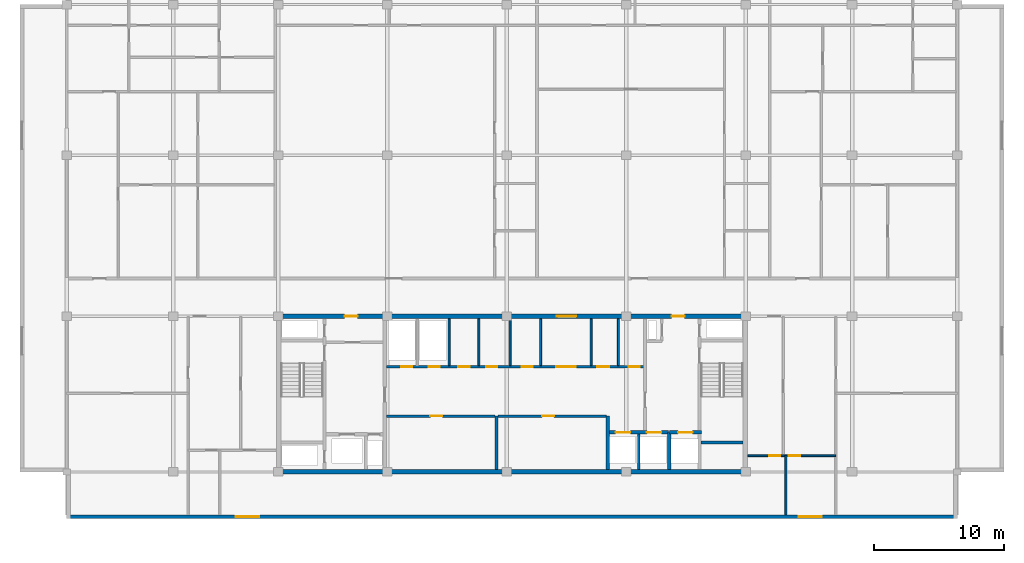
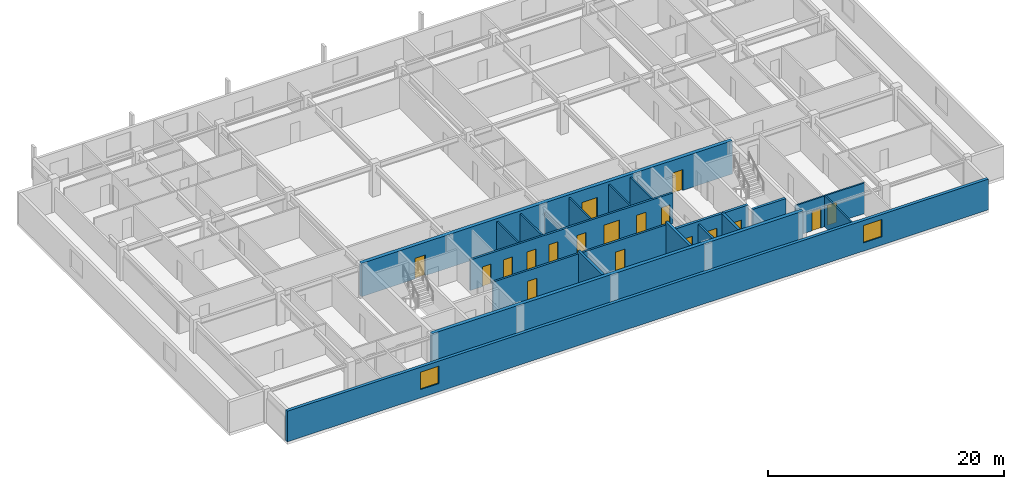
# One storey, part 4 of 10: 21 walls, 18 doors, 2 windows, 20 openings.
"""IFC4 building model written with IfcOpenShell, lengths in metres."""

from ifc_helpers import new_model, si_unit, direction, frame, frame_2d, origin, place, context, subcontext, project, spatial, rectangle, extrude, material, layer, layer_set, type_object, element, fill, save


model = new_model("IFC4")

# Units and contexts
model_context = context("Model", 3, precision=1e-05, world=origin(), true_north=direction((0.0, 1.0)))
body_context = subcontext(model_context, "Body", "Model", "MODEL_VIEW")
ifc_project = project(units=[si_unit("LENGTHUNIT", "METRE"), si_unit("AREAUNIT", "SQUARE_METRE"), si_unit("VOLUMEUNIT", "CUBIC_METRE"), si_unit("PLANEANGLEUNIT", "RADIAN"), si_unit("MASSUNIT", "GRAM", prefix="KILO")], contexts=[model_context])

# Site, building, storey
site_placement = place(None, origin())
site = spatial("IfcSite", under=ifc_project, at=site_placement, CompositionType="ELEMENT")
building_placement = place(site_placement, origin())
building = spatial("IfcBuilding", under=site, at=building_placement, Name="Korimba Cascade Residences", CompositionType="ELEMENT")
storey_placement = place(building_placement, frame((0.0, 0.0, 242.449951171875)))
storey = spatial("IfcBuildingStorey", under=building, at=storey_placement, Name="L70", CompositionType="ELEMENT", Elevation=242.449951171875)

# Wall, openings, windows
ifc_material_1 = material(Name="Precast concrete C40/50", Category="concrete")
ifc_layer_1 = layer(ifc_material_1, 0.300048828125)
ifc_layer_set_1 = layer_set([ifc_layer_1], Name="Precast concrete C40/50")
wall_type_1 = type_object("IfcWallType", Name="EW-STONE-300", PredefinedType="STANDARD", material=ifc_layer_set_1)
wall_1_placement = place(storey_placement, frame((59.800048828125, 51.75, 0.0), z_axis=(0.0, 0.0, 1.0), x_axis=(1.0, 0.0, 0.0)))
wall_1 = element("IfcWall", 1, at=wall_1_placement, inside=storey, type_object=wall_type_1, Name="L70 T1 Perimeter Stone Wall E00", PredefinedType="STANDARD", context=body_context, shape_type="SweptSolid", body=[
    extrude(rectangle(XDim=68.599853515625, YDim=0.300048828125, at=frame_2d((34.2998046875, 0.0))), origin(), (0.0, 0.0, 1.0), 3.170166015625),
])
opening_1_placement = place(wall_1_placement, frame((13.02490234375, 0.0, 0.85009765625)))
opening_1 = element("IfcOpeningElement", 2, at=opening_1_placement, cuts=wall_1, Name="Opening W-02", PredefinedType="OPENING", context=body_context, shape_type="SweptSolid", body=[
    extrude(rectangle(XDim=1.800048828125, YDim=1.800048828125, at=frame_2d((0.89990234375, 0.89990234375))), frame((0.0, 0.16015625, 0.0), z_axis=(0.0, -1.0, 0.0), x_axis=(1.0, 0.0, 0.0)), (0.0, 0.0, 1.0), 0.320068359375),
])
opening_2_placement = place(wall_1_placement, frame((56.375, 0.0, 0.85009765625)))
opening_2 = element("IfcOpeningElement", 3, at=opening_2_placement, cuts=wall_1, Name="Opening W-02", PredefinedType="OPENING", context=body_context, shape_type="SweptSolid", body=[
    extrude(rectangle(XDim=1.800048828125, YDim=1.800048828125, at=frame_2d((0.89990234375, 0.89990234375))), frame((0.0, 0.16015625, 0.0), z_axis=(0.0, -1.0, 0.0), x_axis=(1.0, 0.0, 0.0)), (0.0, 0.0, 1.0), 0.320068359375),
])
ifc_material_2 = material(Name="Double-Glazed Aluminium Window", Category="aluminium")
window_type = type_object("IfcWindowType", Name="WIN-BED-1800", PartitioningType="SINGLE_PANEL", PredefinedType="WINDOW", material=ifc_material_2)
window_1_placement = place(opening_1_placement, origin())
window_1 = element("IfcWindow", 4, at=window_1_placement, inside=storey, type_object=window_type, Name="L70 T1 South Corner Bedroom Window 1", OverallHeight=1.800048828125, OverallWidth=1.800048828125, PartitioningType="SINGLE_PANEL", PredefinedType="WINDOW", context=body_context, shape_type="SweptSolid", body=[
    extrude(rectangle(XDim=1.800048828125, YDim=1.800048828125, at=frame_2d((0.89990234375, 0.89990234375))), frame((0.0, 0.030029296875, 0.0), z_axis=(0.0, -1.0, 0.0), x_axis=(1.0, 0.0, 0.0)), (0.0, 0.0, 1.0), 0.06005859375),
])
fill(opening_1, window_1)
window_2_placement = place(opening_2_placement, origin())
window_2 = element("IfcWindow", 5, at=window_2_placement, inside=storey, type_object=window_type, Name="L70 T1 South Corner Bedroom Window 2", OverallHeight=1.800048828125, OverallWidth=1.800048828125, PartitioningType="SINGLE_PANEL", PredefinedType="WINDOW", context=body_context, shape_type="SweptSolid", body=[
    extrude(rectangle(XDim=1.800048828125, YDim=1.800048828125, at=frame_2d((0.89990234375, 0.89990234375))), frame((0.0, 0.030029296875, 0.0), z_axis=(0.0, -1.0, 0.0), x_axis=(1.0, 0.0, 0.0)), (0.0, 0.0, 1.0), 0.06005859375),
])
fill(opening_2, window_2)

# Wall
ifc_material_3 = material(Name="Concrete C65/80", Category="concrete")
ifc_layer_2 = layer(ifc_material_3, 0.35009765625)
ifc_layer_set_2 = layer_set([ifc_layer_2], Name="Concrete C65/80")
wall_type_2 = type_object("IfcWallType", Name="WAL-CORE-350", PredefinedType="SHEAR", material=ifc_layer_set_2)
wall_2_placement = place(storey_placement, frame((75.949951171875, 55.199951171875, 0.0), z_axis=(0.0, 0.0, 1.0), x_axis=(1.0, 0.0, 0.0)))
element("IfcWall", 6, at=wall_2_placement, inside=storey, type_object=wall_type_2, Name="L70 Core Shear Wall CW-L70-T1-S", PredefinedType="SHEAR", context=body_context, shape_type="SweptSolid", body=[
    extrude(rectangle(XDim=36.300048828125, YDim=0.35009765625, at=frame_2d((18.14990234375, 0.0))), origin(), (0.0, 0.0, 1.0), 3.449951171875),
])

# Wall, openings, doors
wall_3_placement = place(storey_placement, frame((75.949951171875, 67.199951171875, 0.0), z_axis=(0.0, 0.0, 1.0), x_axis=(1.0, 0.0, 0.0)))
wall_3 = element("IfcWall", 7, at=wall_3_placement, inside=storey, type_object=wall_type_2, Name="L70 Core Shear Wall CW-L70-T1-N", PredefinedType="SHEAR", context=body_context, shape_type="SweptSolid", body=[
    extrude(rectangle(XDim=36.300048828125, YDim=0.35009765625, at=frame_2d((18.14990234375, 0.0))), origin(), (0.0, 0.0, 1.0), 3.449951171875),
])
opening_3_placement = place(wall_3_placement, frame((5.25, 0.0, 0.0)))
opening_3 = element("IfcOpeningElement", 8, at=opening_3_placement, cuts=wall_3, Name="Opening D-FD5", PredefinedType="OPENING", context=body_context, shape_type="SweptSolid", body=[
    extrude(rectangle(XDim=1.0, YDim=2.14990234375, at=frame_2d((0.5, 1.074951171875))), frame((0.0, 0.18505859375, 0.0), z_axis=(0.0, -1.0, 0.0), x_axis=(1.0, 0.0, 0.0)), (0.0, 0.0, 1.0), 0.3701171875),
])
opening_4_placement = place(wall_3_placement, frame((21.60009765625, 0.0, 0.0)))
opening_4 = element("IfcOpeningElement", 9, at=opening_4_placement, cuts=wall_3, Name="Opening D-FD8", PredefinedType="OPENING", context=body_context, shape_type="SweptSolid", body=[
    extrude(rectangle(XDim=1.5, YDim=2.199951171875, at=frame_2d((0.75, 1.10009765625))), frame((0.0, 0.18505859375, 0.0), z_axis=(0.0, -1.0, 0.0), x_axis=(1.0, 0.0, 0.0)), (0.0, 0.0, 1.0), 0.3701171875),
])
opening_5_placement = place(wall_3_placement, frame((30.449951171875, 0.0, 0.0)))
opening_5 = element("IfcOpeningElement", 10, at=opening_5_placement, cuts=wall_3, Name="Opening D-FD5", PredefinedType="OPENING", context=body_context, shape_type="SweptSolid", body=[
    extrude(rectangle(XDim=1.0, YDim=2.14990234375, at=frame_2d((0.5, 1.074951171875))), frame((0.0, 0.18505859375, 0.0), z_axis=(0.0, -1.0, 0.0), x_axis=(1.0, 0.0, 0.0)), (0.0, 0.0, 1.0), 0.3701171875),
])
ifc_material_4 = material(Name="Fire-Rated Acoustic Timber Vestibule Door", Category="wood")
door_type_1 = type_object("IfcDoorType", Name="DR-FD90-1000", OperationType="NOTDEFINED", PredefinedType="DOOR", material=ifc_material_4)
door_1_placement = place(opening_3_placement, origin())
door_1 = element("IfcDoor", 11, at=door_1_placement, inside=storey, type_object=door_type_1, Name="L70 T1 West Core Vestibule Fire Door", OperationType="SINGLE_SWING_LEFT", OverallHeight=2.14990234375, OverallWidth=1.0, PredefinedType="DOOR", context=body_context, shape_type="SweptSolid", body=[
    extrude(rectangle(XDim=1.0, YDim=2.14990234375, at=frame_2d((0.5, 1.074951171875))), frame((0.0, 0.02490234375, 0.0), z_axis=(0.0, -1.0, 0.0), x_axis=(1.0, 0.0, 0.0)), (0.0, 0.0, 1.0), 0.050048828125),
])
fill(opening_3, door_1)
door_2_placement = place(opening_5_placement, origin())
door_2 = element("IfcDoor", 12, at=door_2_placement, inside=storey, type_object=door_type_1, Name="L70 T1 East Firefighting Vestibule Fire Door", OperationType="SINGLE_SWING_RIGHT", OverallHeight=2.14990234375, OverallWidth=1.0, PredefinedType="DOOR", context=body_context, shape_type="SweptSolid", body=[
    extrude(rectangle(XDim=1.0, YDim=2.14990234375, at=frame_2d((0.5, 1.074951171875))), frame((0.0, 0.02490234375, 0.0), z_axis=(0.0, -1.0, 0.0), x_axis=(1.0, 0.0, 0.0)), (0.0, 0.0, 1.0), 0.050048828125),
])
fill(opening_5, door_2)
ifc_material_5 = material(Name="Fire-Rated Glazed Lift Lobby Double Door", Category="glass")
door_type_2 = type_object("IfcDoorType", Name="DR-FD90-1500", OperationType="NOTDEFINED", PredefinedType="DOOR", material=ifc_material_5)
door_3_placement = place(opening_4_placement, origin())
door_3 = element("IfcDoor", 13, at=door_3_placement, inside=storey, type_object=door_type_2, Name="L70 T1 Lift Lobby Fire Door", OperationType="DOUBLE_DOOR_SINGLE_SWING", OverallHeight=2.199951171875, OverallWidth=1.5, PredefinedType="DOOR", context=body_context, shape_type="SweptSolid", body=[
    extrude(rectangle(XDim=1.5, YDim=2.199951171875, at=frame_2d((0.75, 1.10009765625))), frame((0.0, 0.02490234375, 0.0), z_axis=(0.0, -1.0, 0.0), x_axis=(1.0, 0.0, 0.0)), (0.0, 0.0, 1.0), 0.050048828125),
])
fill(opening_4, door_3)

# Walls
ifc_material_6 = material(Name="Insulated Acoustic Stud Partition", Category="gypsum")
ifc_layer_3 = layer(ifc_material_6, 0.14990234375)
ifc_layer_set_3 = layer_set([ifc_layer_3], Name="Insulated Acoustic Stud Partition")
wall_type_3 = type_object("IfcWallType", Name="WAL-PART-150", PredefinedType="PARTITIONING", material=ifc_layer_set_3)
for number, where, z_axis, x_axis, name in (
    (14, (89.25, 63.39990234375, 0.0), (0.0, 0.0, 1.0), (0.0, 1.0, 0.0), "L70 Partition Wall CW-L70-T1-PRDIV"),
    (15, (91.550048828125, 63.39990234375, 0.0), (0.0, 0.0, 1.0), (0.0, 1.0, 0.0), "L70 Partition Wall CW-L70-T1-CA1W1"),
):
    element("IfcWall", number, at=place(storey_placement, frame(where, z_axis=z_axis, x_axis=x_axis)), inside=storey, type_object=wall_type_3, Name=name, PredefinedType="PARTITIONING", context=body_context, shape_type="SweptSolid", body=[
        extrude(rectangle(XDim=3.60009765625, YDim=0.14990234375, at=frame_2d((1.800048828125, 0.0))), origin(), (0.0, 0.0, 1.0), 3.170166015625),
    ])
wall_4_placement = place(storey_placement, frame((93.949951171875, 63.39990234375, 0.0), z_axis=(0.0, 0.0, 1.0), x_axis=(0.0, 1.0, 0.0)))
element("IfcWall", 16, at=wall_4_placement, inside=storey, type_object=wall_type_3, Name="L70 Partition Wall CW-L70-T1-CA1W2", PredefinedType="PARTITIONING", context=body_context, shape_type="SweptSolid", body=[
    extrude(rectangle(XDim=3.60009765625, YDim=0.14990234375, at=frame_2d((1.800048828125, 0.0))), origin(), (0.0, 0.0, 1.0), 2.47705078125),
])
for number, where, z_axis, x_axis, name in (
    (17, (102.300048828125, 63.39990234375, 0.0), (0.0, 0.0, 1.0), (0.0, 1.0, 0.0), "L70 Partition Wall CW-L70-T1-CA1E1"),
    (18, (96.300048828125, 63.39990234375, 0.0), (0.0, 0.0, 1.0), (0.0, 1.0, 0.0), "L70 Partition Wall CW-L70-T1-THW"),
    (19, (100.199951171875, 63.39990234375, 0.0), (0.0, 0.0, 1.0), (0.0, 1.0, 0.0), "L70 Partition Wall CW-L70-T1-THE"),
):
    element("IfcWall", number, at=place(storey_placement, frame(where, z_axis=z_axis, x_axis=x_axis)), inside=storey, type_object=wall_type_3, Name=name, PredefinedType="PARTITIONING", context=body_context, shape_type="SweptSolid", body=[
        extrude(rectangle(XDim=3.60009765625, YDim=0.14990234375, at=frame_2d((1.800048828125, 0.0))), origin(), (0.0, 0.0, 1.0), 3.170166015625),
    ])
wall_5_placement = place(storey_placement, frame((115.199951171875, 51.89990234375, 0.0), z_axis=(0.0, 0.0, 1.0), x_axis=(0.0, 1.0, 0.0)))
element("IfcWall", 20, at=wall_5_placement, inside=storey, type_object=wall_type_3, Name="L70 Partition Wall WAL-L70-T1-FE-VS", PredefinedType="PARTITIONING", context=body_context, shape_type="SweptSolid", body=[
    extrude(rectangle(XDim=4.550048828125, YDim=0.14990234375, at=frame_2d((2.27490234375, 0.0))), origin(), (0.0, 0.0, 1.0), 3.170166015625),
])

# Wall, openings, doors
wall_6_placement = place(storey_placement, frame((112.27001953125, 56.449951171875, 0.0), z_axis=(0.0, 0.0, 1.0), x_axis=(1.0, 0.0, 0.0)))
wall_6 = element("IfcWall", 21, at=wall_6_placement, inside=storey, type_object=wall_type_3, Name="L70 Partition Wall WAL-L70-T1-FE-H", PredefinedType="PARTITIONING", context=body_context, shape_type="SweptSolid", body=[
    extrude(rectangle(XDim=6.760009765625, YDim=0.14990234375, at=frame_2d((3.3798828125, 0.0))), origin(), (0.0, 0.0, 1.0), 3.170166015625),
])
opening_6_placement = place(wall_6_placement, frame((1.6396484375, 0.0, 0.0)))
opening_6 = element("IfcOpeningElement", 22, at=opening_6_placement, cuts=wall_6, Name="Opening D-BT1", PredefinedType="OPENING", context=body_context, shape_type="SweptSolid", body=[
    extrude(rectangle(XDim=0.840087890625, YDim=2.0400390625, at=frame_2d((0.419921875, 1.02001953125))), frame((0.0, 0.0849609375, 0.0), z_axis=(0.0, -1.0, 0.0), x_axis=(1.0, 0.0, 0.0)), (0.0, 0.0, 1.0), 0.169921875),
])
opening_7_placement = place(wall_6_placement, frame((3.160400390625, 0.0, 0.0)))
opening_7 = element("IfcOpeningElement", 23, at=opening_7_placement, cuts=wall_6, Name="Opening D-IN2", PredefinedType="OPENING", context=body_context, shape_type="SweptSolid", body=[
    extrude(rectangle(XDim=0.8798828125, YDim=2.06005859375, at=frame_2d((0.43994140625, 1.030029296875))), frame((0.0, 0.0849609375, 0.0), z_axis=(0.0, -1.0, 0.0), x_axis=(1.0, 0.0, 0.0)), (0.0, 0.0, 1.0), 0.169921875),
])
ifc_material_7 = material(Name="Moisture-Resistant Bathroom Timber Door", Category="wood")
door_type_3 = type_object("IfcDoorType", Name="DR-INT-850", OperationType="NOTDEFINED", PredefinedType="DOOR", material=ifc_material_7)
door_4_placement = place(opening_6_placement, origin())
door_4 = element("IfcDoor", 24, at=door_4_placement, inside=storey, type_object=door_type_3, Name="L70-T1-FE Bathroom Door", OperationType="SINGLE_SWING_LEFT", OverallHeight=2.0400390625, OverallWidth=0.840087890625, PredefinedType="DOOR", context=body_context, shape_type="SweptSolid", body=[
    extrude(rectangle(XDim=0.840087890625, YDim=2.0400390625, at=frame_2d((0.419921875, 1.02001953125))), frame((0.0, 0.02490234375, 0.0), z_axis=(0.0, -1.0, 0.0), x_axis=(1.0, 0.0, 0.0)), (0.0, 0.0, 1.0), 0.050048828125),
])
fill(opening_6, door_4)
ifc_material_8 = material(Name="Acoustic Timber Bedroom Door", Category="wood")
door_type_4 = type_object("IfcDoorType", Name="DR-INT-880", OperationType="NOTDEFINED", PredefinedType="DOOR", material=ifc_material_8)
door_5_placement = place(opening_7_placement, origin())
door_5 = element("IfcDoor", 25, at=door_5_placement, inside=storey, type_object=door_type_4, Name="L70-T1-FE Bedroom Door", OperationType="SINGLE_SWING_RIGHT", OverallHeight=2.06005859375, OverallWidth=0.8798828125, PredefinedType="DOOR", context=body_context, shape_type="SweptSolid", body=[
    extrude(rectangle(XDim=0.8798828125, YDim=2.06005859375, at=frame_2d((0.43994140625, 1.030029296875))), frame((0.0, 0.02490234375, 0.0), z_axis=(0.0, -1.0, 0.0), x_axis=(1.0, 0.0, 0.0)), (0.0, 0.0, 1.0), 0.050048828125),
])
fill(opening_7, door_5)

# Wall, opening, door
ifc_material_9 = material(Name="Concrete C40/50", Category="concrete")
ifc_layer_4 = layer(ifc_material_9, 0.199951171875)
ifc_layer_set_4 = layer_set([ifc_layer_4], Name="Concrete C40/50")
wall_type_4 = type_object("IfcWallType", Name="WAL-PART-200", PredefinedType="PARTITIONING", material=ifc_layer_set_4)
wall_7_placement = place(storey_placement, frame((84.419921875, 59.5, 0.0), z_axis=(0.0, 0.0, 1.0), x_axis=(1.0, 0.0, 0.0)))
wall_7 = element("IfcWall", 26, at=wall_7_placement, inside=storey, type_object=wall_type_4, Name="L70 Partition Wall CW-L70-T1-B1RN", PredefinedType="PARTITIONING", context=body_context, shape_type="SweptSolid", body=[
    extrude(rectangle(XDim=8.360107421875, YDim=0.199951171875, at=frame_2d((4.18017578125, 0.0))), origin(), (0.0, 0.0, 1.0), 3.170166015625),
])
opening_8_placement = place(wall_7_placement, frame((3.39990234375, 0.0, 0.0)))
opening_8 = element("IfcOpeningElement", 27, at=opening_8_placement, cuts=wall_7, Name="Opening D-ST1", PredefinedType="OPENING", context=body_context, shape_type="SweptSolid", body=[
    extrude(rectangle(XDim=0.919921875, YDim=2.080078125, at=frame_2d((0.4599609375, 1.0400390625))), frame((0.0, 0.10986328125, 0.0), z_axis=(0.0, -1.0, 0.0), x_axis=(1.0, 0.0, 0.0)), (0.0, 0.0, 1.0), 0.219970703125),
])
ifc_material_10 = material(Name="Fire-Rated Core Store Door", Category="wood")
door_type_5 = type_object("IfcDoorType", Name="DR-FD60-920", OperationType="NOTDEFINED", PredefinedType="DOOR", material=ifc_material_10)
door_6_placement = place(opening_8_placement, origin())
door_6 = element("IfcDoor", 28, at=door_6_placement, inside=storey, type_object=door_type_5, Name="L70 Resident Storage Door", OperationType="SINGLE_SWING_LEFT", OverallHeight=2.080078125, OverallWidth=0.919921875, PredefinedType="DOOR", context=body_context, shape_type="SweptSolid", body=[
    extrude(rectangle(XDim=0.919921875, YDim=2.080078125, at=frame_2d((0.4599609375, 1.0400390625))), frame((0.0, 0.02490234375, 0.0), z_axis=(0.0, -1.0, 0.0), x_axis=(1.0, 0.0, 0.0)), (0.0, 0.0, 1.0), 0.050048828125),
])
fill(opening_8, door_6)

wall_8_placement = place(storey_placement, frame((93.02001953125, 59.5, 0.0), z_axis=(0.0, 0.0, 1.0), x_axis=(1.0, 0.0, 0.0)))
wall_8 = element("IfcWall", 29, at=wall_8_placement, inside=storey, type_object=wall_type_4, Name="L70 Partition Wall CW-L70-T1-B2RN", PredefinedType="PARTITIONING", context=body_context, shape_type="SweptSolid", body=[
    extrude(rectangle(XDim=8.35986328125, YDim=0.199951171875, at=frame_2d((4.179931640625, 0.0))), origin(), (0.0, 0.0, 1.0), 3.170166015625),
])
opening_9_placement = place(wall_8_placement, frame((3.39990234375, 0.0, 0.0)))
opening_9 = element("IfcOpeningElement", 30, at=opening_9_placement, cuts=wall_8, Name="Opening D-ST1", PredefinedType="OPENING", context=body_context, shape_type="SweptSolid", body=[
    extrude(rectangle(XDim=0.919921875, YDim=2.080078125, at=frame_2d((0.4599609375, 1.0400390625))), frame((0.0, 0.10986328125, 0.0), z_axis=(0.0, -1.0, 0.0), x_axis=(1.0, 0.0, 0.0)), (0.0, 0.0, 1.0), 0.219970703125),
])
door_7_placement = place(opening_9_placement, origin())
door_7 = element("IfcDoor", 31, at=door_7_placement, inside=storey, type_object=door_type_5, Name="L70 Wine Cellar Store Door", OperationType="SINGLE_SWING_RIGHT", OverallHeight=2.080078125, OverallWidth=0.919921875, PredefinedType="DOOR", context=body_context, shape_type="SweptSolid", body=[
    extrude(rectangle(XDim=0.919921875, YDim=2.080078125, at=frame_2d((0.4599609375, 1.0400390625))), frame((0.0, 0.02490234375, 0.0), z_axis=(0.0, -1.0, 0.0), x_axis=(1.0, 0.0, 0.0)), (0.0, 0.0, 1.0), 0.050048828125),
])
fill(opening_9, door_7)

# Wall
wall_9_placement = place(storey_placement, frame((103.85009765625, 55.39990234375, 0.0), z_axis=(0.0, 0.0, 1.0), x_axis=(0.0, 1.0, 0.0)))
element("IfcWall", 32, at=wall_9_placement, inside=storey, type_object=wall_type_4, Name="L70 Partition Wall CW-L70-T1-B3D1", PredefinedType="PARTITIONING", context=body_context, shape_type="SweptSolid", body=[
    extrude(rectangle(XDim=2.72021484375, YDim=0.199951171875, at=frame_2d((1.360107421875, 0.0))), origin(), (0.0, 0.0, 1.0), 3.170166015625),
])

# Wall, openings, doors
wall_10_placement = place(storey_placement, frame((84.419921875, 63.300048828125, 0.0), z_axis=(0.0, 0.0, 1.0), x_axis=(1.0, 0.0, 0.0)))
wall_10 = element("IfcWall", 33, at=wall_10_placement, inside=storey, type_object=wall_type_4, Name="L70 Partition Wall CW-L70-T1-SRVROW", PredefinedType="PARTITIONING", context=body_context, shape_type="SweptSolid", body=[
    extrude(rectangle(XDim=19.830078125, YDim=0.199951171875, at=frame_2d((9.9150390625, 0.0))), origin(), (0.0, 0.0, 1.0), 3.170166015625),
])
opening_10_placement = place(wall_10_placement, frame((1.14990234375, 0.0, 0.0)))
opening_10 = element("IfcOpeningElement", 34, at=opening_10_placement, cuts=wall_10, Name="Opening D-RS1", PredefinedType="OPENING", context=body_context, shape_type="SweptSolid", body=[
    extrude(rectangle(XDim=0.85009765625, YDim=2.050048828125, at=frame_2d((0.425048828125, 1.02490234375))), frame((0.0, 0.10986328125, 0.0), z_axis=(0.0, -1.0, 0.0), x_axis=(1.0, 0.0, 0.0)), (0.0, 0.0, 1.0), 0.219970703125),
])
opening_11_placement = place(wall_10_placement, frame((3.25, 0.0, 0.0)))
opening_11 = element("IfcOpeningElement", 35, at=opening_11_placement, cuts=wall_10, Name="Opening D-RS1", PredefinedType="OPENING", context=body_context, shape_type="SweptSolid", body=[
    extrude(rectangle(XDim=0.85009765625, YDim=2.050048828125, at=frame_2d((0.425048828125, 1.02490234375))), frame((0.0, 0.10986328125, 0.0), z_axis=(0.0, -1.0, 0.0), x_axis=(1.0, 0.0, 0.0)), (0.0, 0.0, 1.0), 0.219970703125),
])
opening_12_placement = place(wall_10_placement, frame((13.080078125, 0.0, 0.0)))
opening_12 = element("IfcOpeningElement", 36, at=opening_12_placement, cuts=wall_10, Name="Opening D-FD8", PredefinedType="OPENING", context=body_context, shape_type="SweptSolid", body=[
    extrude(rectangle(XDim=1.5, YDim=2.199951171875, at=frame_2d((0.75, 1.10009765625))), frame((0.0, 0.10986328125, 0.0), z_axis=(0.0, -1.0, 0.0), x_axis=(1.0, 0.0, 0.0)), (0.0, 0.0, 1.0), 0.219970703125),
])
opening_13_placement = place(wall_10_placement, frame((5.530029296875, 0.0, 0.0)))
opening_13 = element("IfcOpeningElement", 37, at=opening_13_placement, cuts=wall_10, Name="Opening D-IN2", PredefinedType="OPENING", context=body_context, shape_type="SweptSolid", body=[
    extrude(rectangle(XDim=0.8798828125, YDim=2.06005859375, at=frame_2d((0.43994140625, 1.030029296875))), frame((0.0, 0.10986328125, 0.0), z_axis=(0.0, -1.0, 0.0), x_axis=(1.0, 0.0, 0.0)), (0.0, 0.0, 1.0), 0.219970703125),
])
opening_14_placement = place(wall_10_placement, frame((7.679931640625, 0.0, 0.0)))
opening_14 = element("IfcOpeningElement", 38, at=opening_14_placement, cuts=wall_10, Name="Opening D-IN2", PredefinedType="OPENING", context=body_context, shape_type="SweptSolid", body=[
    extrude(rectangle(XDim=0.8798828125, YDim=2.06005859375, at=frame_2d((0.43994140625, 1.030029296875))), frame((0.0, 0.10986328125, 0.0), z_axis=(0.0, -1.0, 0.0), x_axis=(1.0, 0.0, 0.0)), (0.0, 0.0, 1.0), 0.219970703125),
])
opening_15_placement = place(wall_10_placement, frame((10.429931640625, 0.0, 0.0)))
opening_15 = element("IfcOpeningElement", 39, at=opening_15_placement, cuts=wall_10, Name="Opening D-RS1", PredefinedType="OPENING", context=body_context, shape_type="SweptSolid", body=[
    extrude(rectangle(XDim=0.85009765625, YDim=2.050048828125, at=frame_2d((0.425048828125, 1.02490234375))), frame((0.0, 0.10986328125, 0.0), z_axis=(0.0, -1.0, 0.0), x_axis=(1.0, 0.0, 0.0)), (0.0, 0.0, 1.0), 0.219970703125),
])
opening_16_placement = place(wall_10_placement, frame((16.22998046875, 0.0, 0.0)))
opening_16 = element("IfcOpeningElement", 40, at=opening_16_placement, cuts=wall_10, Name="Opening D-AC1", PredefinedType="OPENING", context=body_context, shape_type="SweptSolid", body=[
    extrude(rectangle(XDim=0.9599609375, YDim=2.10009765625, at=frame_2d((0.47998046875, 1.050048828125))), frame((0.0, 0.10986328125, 0.0), z_axis=(0.0, -1.0, 0.0), x_axis=(1.0, 0.0, 0.0)), (0.0, 0.0, 1.0), 0.219970703125),
])
opening_17_placement = place(wall_10_placement, frame((18.679931640625, 0.0, 0.0)))
opening_17 = element("IfcOpeningElement", 41, at=opening_17_placement, cuts=wall_10, Name="Opening D-BT1", PredefinedType="OPENING", context=body_context, shape_type="SweptSolid", body=[
    extrude(rectangle(XDim=0.840087890625, YDim=2.0400390625, at=frame_2d((0.419921875, 1.02001953125))), frame((0.0, 0.10986328125, 0.0), z_axis=(0.0, -1.0, 0.0), x_axis=(1.0, 0.0, 0.0)), (0.0, 0.0, 1.0), 0.219970703125),
])
ifc_material_11 = material(Name="Accessible Acoustic Timber WC Door", Category="wood")
door_type_6 = type_object("IfcDoorType", Name="DR-ACC-950", OperationType="NOTDEFINED", PredefinedType="DOOR", material=ifc_material_11)
door_8_placement = place(opening_16_placement, origin())
door_8 = element("IfcDoor", 42, at=door_8_placement, inside=storey, type_object=door_type_6, Name="L70 Accessible Staff WC Door", OperationType="SINGLE_SWING_RIGHT", OverallHeight=2.10009765625, OverallWidth=0.9599609375, PredefinedType="DOOR", context=body_context, shape_type="SweptSolid", body=[
    extrude(rectangle(XDim=0.9599609375, YDim=2.10009765625, at=frame_2d((0.47998046875, 1.050048828125))), frame((0.0, 0.02490234375, 0.0), z_axis=(0.0, -1.0, 0.0), x_axis=(1.0, 0.0, 0.0)), (0.0, 0.0, 1.0), 0.050048828125),
])
fill(opening_16, door_8)
ifc_material_12 = material(Name="Fire-Rated Steel Riser Access Door", Category="steel")
door_type_7 = type_object("IfcDoorType", Name="DR-FD60-850", OperationType="NOTDEFINED", PredefinedType="DOOR", material=ifc_material_12)
door_9_placement = place(opening_10_placement, origin())
door_9 = element("IfcDoor", 43, at=door_9_placement, inside=storey, type_object=door_type_7, Name="L70 Electrical Riser Door", OperationType="SINGLE_SWING_LEFT", OverallHeight=2.050048828125, OverallWidth=0.85009765625, PredefinedType="DOOR", context=body_context, shape_type="SweptSolid", body=[
    extrude(rectangle(XDim=0.85009765625, YDim=2.050048828125, at=frame_2d((0.425048828125, 1.02490234375))), frame((0.0, 0.02490234375, 0.0), z_axis=(0.0, -1.0, 0.0), x_axis=(1.0, 0.0, 0.0)), (0.0, 0.0, 1.0), 0.050048828125),
])
fill(opening_10, door_9)
door_10_placement = place(opening_11_placement, origin())
door_10 = element("IfcDoor", 44, at=door_10_placement, inside=storey, type_object=door_type_7, Name="L70 Plumbing Riser Door", OperationType="SINGLE_SWING_RIGHT", OverallHeight=2.050048828125, OverallWidth=0.85009765625, PredefinedType="DOOR", context=body_context, shape_type="SweptSolid", body=[
    extrude(rectangle(XDim=0.85009765625, YDim=2.050048828125, at=frame_2d((0.425048828125, 1.02490234375))), frame((0.0, 0.02490234375, 0.0), z_axis=(0.0, -1.0, 0.0), x_axis=(1.0, 0.0, 0.0)), (0.0, 0.0, 1.0), 0.050048828125),
])
fill(opening_11, door_10)
door_11_placement = place(opening_15_placement, origin())
door_11 = element("IfcDoor", 45, at=door_11_placement, inside=storey, type_object=door_type_7, Name="L70 IT Room Door", OperationType="SINGLE_SWING_LEFT", OverallHeight=2.050048828125, OverallWidth=0.85009765625, PredefinedType="DOOR", context=body_context, shape_type="SweptSolid", body=[
    extrude(rectangle(XDim=0.85009765625, YDim=2.050048828125, at=frame_2d((0.425048828125, 1.02490234375))), frame((0.0, 0.02490234375, 0.0), z_axis=(0.0, -1.0, 0.0), x_axis=(1.0, 0.0, 0.0)), (0.0, 0.0, 1.0), 0.050048828125),
])
fill(opening_15, door_11)
door_12_placement = place(opening_12_placement, origin())
door_12 = element("IfcDoor", 46, at=door_12_placement, inside=storey, type_object=door_type_2, Name="L70 Lift Lobby Foyer Archway Door", OperationType="DOUBLE_DOOR_SINGLE_SWING", OverallHeight=2.199951171875, OverallWidth=1.5, PredefinedType="DOOR", context=body_context, shape_type="SweptSolid", body=[
    extrude(rectangle(XDim=1.5, YDim=2.199951171875, at=frame_2d((0.75, 1.10009765625))), frame((0.0, 0.02490234375, 0.0), z_axis=(0.0, -1.0, 0.0), x_axis=(1.0, 0.0, 0.0)), (0.0, 0.0, 1.0), 0.050048828125),
])
fill(opening_12, door_12)
door_13_placement = place(opening_17_placement, origin())
door_13 = element("IfcDoor", 47, at=door_13_placement, inside=storey, type_object=door_type_3, Name="L70 Vending Room Door", OperationType="SINGLE_SWING_LEFT", OverallHeight=2.0400390625, OverallWidth=0.840087890625, PredefinedType="DOOR", context=body_context, shape_type="SweptSolid", body=[
    extrude(rectangle(XDim=0.840087890625, YDim=2.0400390625, at=frame_2d((0.419921875, 1.02001953125))), frame((0.0, 0.02490234375, 0.0), z_axis=(0.0, -1.0, 0.0), x_axis=(1.0, 0.0, 0.0)), (0.0, 0.0, 1.0), 0.050048828125),
])
fill(opening_17, door_13)
door_14_placement = place(opening_13_placement, origin())
door_14 = element("IfcDoor", 48, at=door_14_placement, inside=storey, type_object=door_type_4, Name="L70 Cleaners Door", OperationType="SINGLE_SWING_LEFT", OverallHeight=2.06005859375, OverallWidth=0.8798828125, PredefinedType="DOOR", context=body_context, shape_type="SweptSolid", body=[
    extrude(rectangle(XDim=0.8798828125, YDim=2.06005859375, at=frame_2d((0.43994140625, 1.030029296875))), frame((0.0, 0.02490234375, 0.0), z_axis=(0.0, -1.0, 0.0), x_axis=(1.0, 0.0, 0.0)), (0.0, 0.0, 1.0), 0.050048828125),
])
fill(opening_13, door_14)
door_15_placement = place(opening_14_placement, origin())
door_15 = element("IfcDoor", 49, at=door_15_placement, inside=storey, type_object=door_type_4, Name="L70 Pantry Door", OperationType="SINGLE_SWING_RIGHT", OverallHeight=2.06005859375, OverallWidth=0.8798828125, PredefinedType="DOOR", context=body_context, shape_type="SweptSolid", body=[
    extrude(rectangle(XDim=0.8798828125, YDim=2.06005859375, at=frame_2d((0.43994140625, 1.030029296875))), frame((0.0, 0.02490234375, 0.0), z_axis=(0.0, -1.0, 0.0), x_axis=(1.0, 0.0, 0.0)), (0.0, 0.0, 1.0), 0.050048828125),
])
fill(opening_14, door_15)

# Walls
ifc_material_13 = material(Name="Concrete C50/60", Category="concrete")
ifc_layer_5 = layer(ifc_material_13, 0.25)
ifc_layer_set_5 = layer_set([ifc_layer_5], Name="Concrete C50/60")
wall_type_5 = type_object("IfcWallType", Name="WAL-SHAFT-250", PredefinedType="SHEAR", material=ifc_layer_set_5)
for number, where, z_axis, x_axis, name in (
    (50, (92.89990234375, 55.39990234375, 0.0), (0.0, 0.0, 1.0), (0.0, 1.0, 0.0), "L70 Core Shear Wall CW-L70-T1-B12DIV"),
    (51, (101.47998046875, 55.39990234375, 0.0), (0.0, 0.0, 1.0), (0.0, 1.0, 0.0), "L70 Core Shear Wall CW-L70-T1-B23DIV"),
):
    element("IfcWall", number, at=place(storey_placement, frame(where, z_axis=z_axis, x_axis=x_axis)), inside=storey, type_object=wall_type_5, Name=name, PredefinedType="SHEAR", context=body_context, shape_type="SweptSolid", body=[
        extrude(rectangle(XDim=4.10009765625, YDim=0.25, at=frame_2d((2.050048828125, 0.0))), origin(), (0.0, 0.0, 1.0), 3.449951171875),
    ])

# Wall, openings, doors
wall_11_placement = place(storey_placement, frame((101.550048828125, 58.25, 0.0), z_axis=(0.0, 0.0, 1.0), x_axis=(1.0, 0.0, 0.0)))
wall_11 = element("IfcWall", 52, at=wall_11_placement, inside=storey, type_object=wall_type_5, Name="L70 Core Shear Wall CW-L70-T1-B3N", PredefinedType="SHEAR", context=body_context, shape_type="SweptSolid", body=[
    extrude(rectangle(XDim=4.599853515625, YDim=0.25, at=frame_2d((2.2998046875, 0.0))), origin(), (0.0, 0.0, 1.0), 3.449951171875),
])
opening_18_placement = place(wall_11_placement, frame((0.5400390625, 0.0, 0.0)))
opening_18 = element("IfcOpeningElement", 53, at=opening_18_placement, cuts=wall_11, Name="Opening LD-01", PredefinedType="OPENING", context=body_context, shape_type="SweptSolid", body=[
    extrude(rectangle(XDim=1.1201171875, YDim=2.1201171875, at=frame_2d((0.56005859375, 1.06005859375))), frame((0.0, 0.135009765625, 0.0), z_axis=(0.0, -1.0, 0.0), x_axis=(1.0, 0.0, 0.0)), (0.0, 0.0, 1.0), 0.27001953125),
])
opening_19_placement = place(wall_11_placement, frame((2.93994140625, 0.0, 0.0)))
opening_19 = element("IfcOpeningElement", 54, at=opening_19_placement, cuts=wall_11, Name="Opening LD-01", PredefinedType="OPENING", context=body_context, shape_type="SweptSolid", body=[
    extrude(rectangle(XDim=1.1201171875, YDim=2.1201171875, at=frame_2d((0.56005859375, 1.06005859375))), frame((0.0, 0.135009765625, 0.0), z_axis=(0.0, -1.0, 0.0), x_axis=(1.0, 0.0, 0.0)), (0.0, 0.0, 1.0), 0.27001953125),
])
ifc_material_14 = material(Name="Stainless Steel Lift Landing Sliding Door", Category="steel")
door_type_8 = type_object("IfcDoorType", Name="DR-LIFT-1100", OperationType="NOTDEFINED", PredefinedType="DOOR", material=ifc_material_14)
door_16_placement = place(opening_18_placement, origin())
door_16 = element("IfcDoor", 55, at=door_16_placement, inside=storey, type_object=door_type_8, Name="L70 Lift Landing Door PL-W7", OperationType="SLIDING_TO_LEFT", OverallHeight=2.1201171875, OverallWidth=1.1201171875, PredefinedType="DOOR", context=body_context, shape_type="SweptSolid", body=[
    extrude(rectangle(XDim=1.1201171875, YDim=2.1201171875, at=frame_2d((0.56005859375, 1.06005859375))), frame((0.0, 0.02490234375, 0.0), z_axis=(0.0, -1.0, 0.0), x_axis=(1.0, 0.0, 0.0)), (0.0, 0.0, 1.0), 0.050048828125),
])
fill(opening_18, door_16)
door_17_placement = place(opening_19_placement, origin())
door_17 = element("IfcDoor", 56, at=door_17_placement, inside=storey, type_object=door_type_8, Name="L70 Lift Landing Door PL-W8", OperationType="SLIDING_TO_LEFT", OverallHeight=2.1201171875, OverallWidth=1.1201171875, PredefinedType="DOOR", context=body_context, shape_type="SweptSolid", body=[
    extrude(rectangle(XDim=1.1201171875, YDim=2.1201171875, at=frame_2d((0.56005859375, 1.06005859375))), frame((0.0, 0.02490234375, 0.0), z_axis=(0.0, -1.0, 0.0), x_axis=(1.0, 0.0, 0.0)), (0.0, 0.0, 1.0), 0.050048828125),
])
fill(opening_19, door_17)

# Wall
wall_12_placement = place(storey_placement, frame((106.219970703125, 55.39990234375, 0.0), z_axis=(0.0, 0.0, 1.0), x_axis=(0.0, 1.0, 0.0)))
element("IfcWall", 57, at=wall_12_placement, inside=storey, type_object=wall_type_5, Name="L70 Core Shear Wall CW-L70-T1-FF2W", PredefinedType="SHEAR", context=body_context, shape_type="SweptSolid", body=[
    extrude(rectangle(XDim=2.85009765625, YDim=0.25, at=frame_2d((1.425048828125, 0.0))), origin(), (0.0, 0.0, 1.0), 3.449951171875),
])

# Wall, opening, door
wall_13_placement = place(storey_placement, frame((106.219970703125, 58.25, 0.0), z_axis=(0.0, 0.0, 1.0), x_axis=(1.0, 0.0, 0.0)))
wall_13 = element("IfcWall", 58, at=wall_13_placement, inside=storey, type_object=wall_type_5, Name="L70 Core Shear Wall CW-L70-T1-FF2N", PredefinedType="SHEAR", context=body_context, shape_type="SweptSolid", body=[
    extrude(rectangle(XDim=2.4599609375, YDim=0.25, at=frame_2d((1.22998046875, 0.0))), origin(), (0.0, 0.0, 1.0), 3.449951171875),
])
opening_20_placement = place(wall_13_placement, frame((0.669921875, 0.0, 0.0)))
opening_20 = element("IfcOpeningElement", 59, at=opening_20_placement, cuts=wall_13, Name="Opening LD-01", PredefinedType="OPENING", context=body_context, shape_type="SweptSolid", body=[
    extrude(rectangle(XDim=1.1201171875, YDim=2.1201171875, at=frame_2d((0.56005859375, 1.06005859375))), frame((0.0, 0.135009765625, 0.0), z_axis=(0.0, -1.0, 0.0), x_axis=(1.0, 0.0, 0.0)), (0.0, 0.0, 1.0), 0.27001953125),
])
door_18_placement = place(opening_20_placement, origin())
door_18 = element("IfcDoor", 60, at=door_18_placement, inside=storey, type_object=door_type_8, Name="L70 Firefighting Lift Landing Door FFL-W2", OperationType="SLIDING_TO_RIGHT", OverallHeight=2.1201171875, OverallWidth=1.1201171875, PredefinedType="DOOR", context=body_context, shape_type="SweptSolid", body=[
    extrude(rectangle(XDim=1.1201171875, YDim=2.1201171875, at=frame_2d((0.56005859375, 1.06005859375))), frame((0.0, 0.02490234375, 0.0), z_axis=(0.0, -1.0, 0.0), x_axis=(1.0, 0.0, 0.0)), (0.0, 0.0, 1.0), 0.050048828125),
])
fill(opening_20, door_18)

# Wall
wall_14_placement = place(storey_placement, frame((108.659912109375, 57.47509765625, 0.0), z_axis=(0.0, 0.0, 1.0), x_axis=(1.0, 0.0, 0.0)))
element("IfcWall", 61, at=wall_14_placement, inside=storey, type_object=wall_type_5, Name="L70 Core Shear Wall CW-L70-T1-STW2S", PredefinedType="SHEAR", context=body_context, shape_type="SweptSolid", body=[
    extrude(rectangle(XDim=3.239990234375, YDim=0.25, at=frame_2d((1.6201171875, 0.0))), origin(), (0.0, 0.0, 1.0), 3.449951171875),
])

save(model, "model.ifc")
